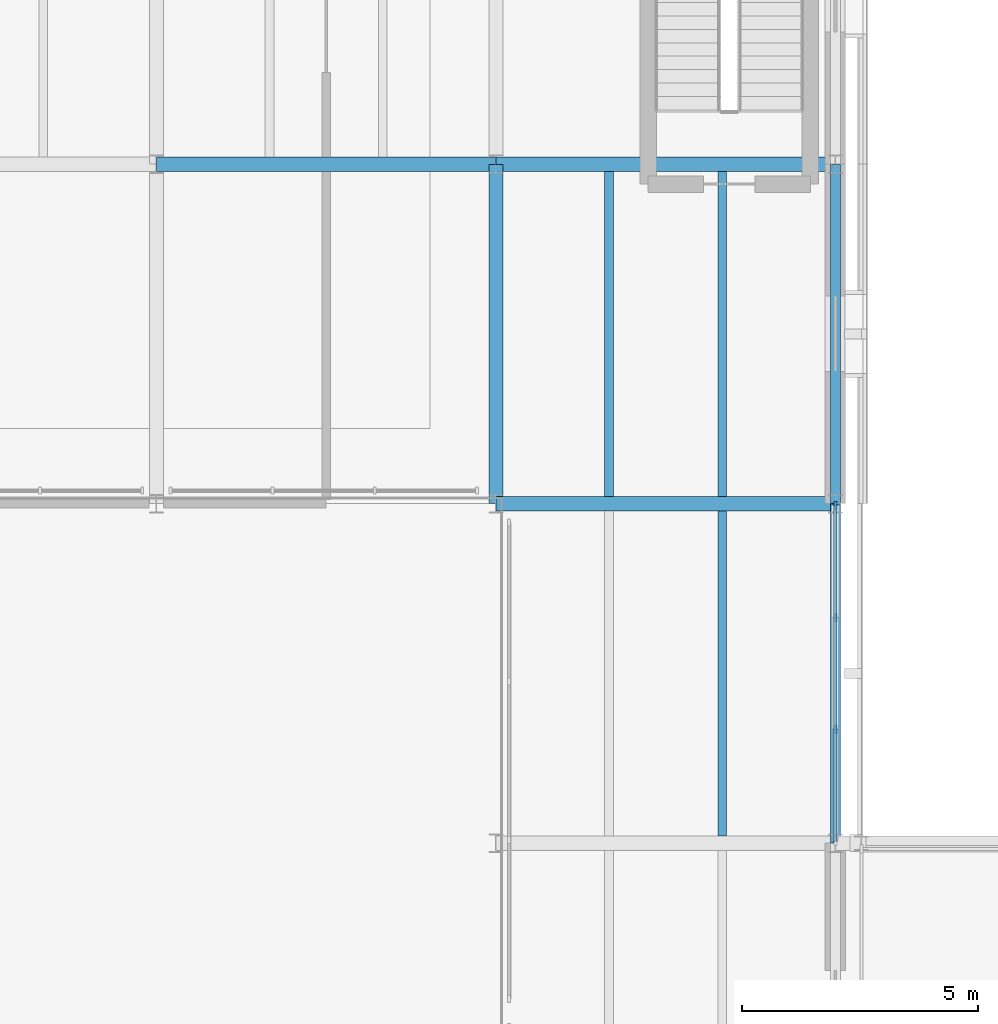
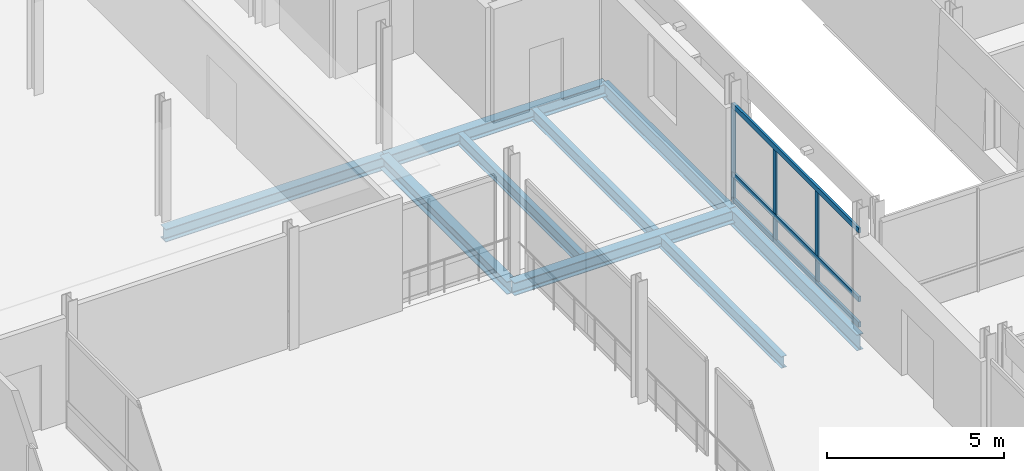
# One storey, part 26 of 115: 9 beams, 6 members, 1 element without a shape of its own.
"""IFC4 building model written with IfcOpenShell, lengths in metres."""

from ifc_helpers import new_model, si_unit, direction, frame, origin, origin_2d, place, context, subcontext, project, spatial, rectangle, i_section, extrude, material, layer, layer_set, material_profile, profile_set, type_object, element, aggregate, save


model = new_model("IFC4")

# Units and contexts
model_context = context("Model", 3, precision=1e-05, world=origin(), true_north=direction((0.0, 1.0)))
body_context = subcontext(model_context, "Body", "Model", "MODEL_VIEW")
ifc_project = project(units=[si_unit("LENGTHUNIT", "METRE"), si_unit("AREAUNIT", "SQUARE_METRE"), si_unit("VOLUMEUNIT", "CUBIC_METRE"), si_unit("PLANEANGLEUNIT", "RADIAN"), si_unit("MASSUNIT", "GRAM", prefix="KILO")], contexts=[model_context])

# Site, building, storey
site_placement = place(None, origin())
site = spatial("IfcSite", under=ifc_project, at=site_placement, CompositionType="ELEMENT")
building_placement = place(site_placement, origin())
building = spatial("IfcBuilding", under=site, at=building_placement, Name="Narikvali Park Central Library", CompositionType="ELEMENT")
storey_placement = place(building_placement, frame((0.0, 0.0, 10.199951171875)))
storey = spatial("IfcBuildingStorey", under=building, at=storey_placement, Name="L02", CompositionType="ELEMENT", Elevation=10.199951171875)

# Curtain wall, members
ifc_material_1 = material(Name="Anodised Bronze Aluminium", Category="aluminium")
ifc_layer = layer(ifc_material_1, 0.219970703125, Name="Anodised Bronze Aluminium")
ifc_layer_set = layer_set([ifc_layer], Name="Anodised Bronze Aluminium")
curtain_wall_type = type_object("IfcCurtainWallType", Name="Atrium Tall Curtain Wall System", PredefinedType="NOTDEFINED", material=ifc_layer_set)
curtain_wall_placement = place(storey_placement, origin())
curtain_wall = element("IfcCurtainWall", 1, at=curtain_wall_placement, inside=storey, type_object=curtain_wall_type, Name="Atrium Tall Curtain Wall System CW-V4-L02-E-05", PredefinedType="NOTDEFINED")
ifc_material_profile_1 = material_profile(ifc_material_1, rectangle(XDim=0.074951171875, YDim=0.179931640625, at=origin_2d()), Name="CW TRANSOM 75x180")
ifc_profile_set_1 = profile_set([ifc_material_profile_1], Name="Anodised Bronze Aluminium")
member_type_1 = type_object("IfcMemberType", Name="Curtain Wall Heavy Transom 75x180", PredefinedType="USERDEFINED", material=ifc_profile_set_1)
member_1_placement = place(storey_placement, frame((57.60009765625, 79.238037109375, 0.030029296875), z_axis=(0.0, 1.0, 0.0), x_axis=(-1.0, 0.0, 0.0)))
member_1 = element("IfcMember", 2, at=member_1_placement, type_object=member_type_1, Name="CW-V4-L02-E-05 Transom 00", ObjectType="TRANSOM", PredefinedType="USERDEFINED", context=body_context, shape_type="SweptSolid", body=[
    extrude(rectangle(XDim=0.074951171875, YDim=0.179931640625, at=origin_2d()), origin(), (0.0, 0.0, 1.0), 7.1240234375),
])
member_2_placement = place(storey_placement, frame((57.60009765625, 79.238037109375, 0.900146484375), z_axis=(0.0, 1.0, 0.0), x_axis=(-1.0, 0.0, 0.0)))
member_2 = element("IfcMember", 3, at=member_2_placement, type_object=member_type_1, Name="CW-V4-L02-E-05 Transom 01", ObjectType="TRANSOM", PredefinedType="USERDEFINED", context=body_context, shape_type="SweptSolid", body=[
    extrude(rectangle(XDim=0.074951171875, YDim=0.179931640625, at=origin_2d()), origin(), (0.0, 0.0, 1.0), 7.1240234375),
])
member_3_placement = place(storey_placement, frame((57.60009765625, 79.238037109375, 3.27001953125), z_axis=(0.0, 1.0, 0.0), x_axis=(-1.0, 0.0, 0.0)))
member_3 = element("IfcMember", 4, at=member_3_placement, type_object=member_type_1, Name="CW-V4-L02-E-05 Transom 02", ObjectType="TRANSOM", PredefinedType="USERDEFINED", context=body_context, shape_type="SweptSolid", body=[
    extrude(rectangle(XDim=0.074951171875, YDim=0.179931640625, at=origin_2d()), origin(), (0.0, 0.0, 1.0), 7.1240234375),
])
ifc_material_profile_2 = material_profile(ifc_material_1, rectangle(XDim=0.06494140625, YDim=0.179931640625, at=origin_2d()), Name="CW MULLION 65x180")
ifc_profile_set_2 = profile_set([ifc_material_profile_2], Name="Anodised Bronze Aluminium")
member_type_2 = type_object("IfcMemberType", Name="Curtain Wall Mullion 65x180", PredefinedType="MULLION", material=ifc_profile_set_2)
member_4_placement = place(storey_placement, frame((57.60009765625, 81.61279296875, -0.010009765625), z_axis=(0.0, 0.0, 1.0), x_axis=(1.0, 0.0, 0.0)))
member_4 = element("IfcMember", 5, at=member_4_placement, type_object=member_type_2, Name="CW-V4-L02-E-05 Mullion 01", PredefinedType="MULLION", context=body_context, shape_type="SweptSolid", body=[
    extrude(rectangle(XDim=0.06494140625, YDim=0.179931640625, at=origin_2d()), origin(), (0.0, 0.0, 1.0), 3.31005859375),
])
member_5_placement = place(storey_placement, frame((57.60009765625, 83.9873046875, -0.010009765625), z_axis=(0.0, 0.0, 1.0), x_axis=(1.0, 0.0, 0.0)))
member_5 = element("IfcMember", 6, at=member_5_placement, type_object=member_type_2, Name="CW-V4-L02-E-05 Mullion 02", PredefinedType="MULLION", context=body_context, shape_type="SweptSolid", body=[
    extrude(rectangle(XDim=0.06494140625, YDim=0.179931640625, at=origin_2d()), origin(), (0.0, 0.0, 1.0), 3.31005859375),
])
member_6_placement = place(storey_placement, frame((57.60009765625, 86.362060546875, -0.010009765625), z_axis=(0.0, 0.0, 1.0), x_axis=(1.0, 0.0, 0.0)))
member_6 = element("IfcMember", 7, at=member_6_placement, type_object=member_type_2, Name="CW-V4-L02-E-05 Mullion 03", PredefinedType="MULLION", context=body_context, shape_type="SweptSolid", body=[
    extrude(rectangle(XDim=0.06494140625, YDim=0.179931640625, at=origin_2d()), origin(), (0.0, 0.0, 1.0), 3.31005859375),
])
aggregate(curtain_wall, [member_4, member_5, member_6, member_1, member_2, member_3])

# Beams
ifc_material_2 = material(Name="Steel S355", Category="steel")
ifc_material_profile_3 = material_profile(ifc_material_2, i_section(OverallWidth=0.181884765625, OverallDepth=0.404052734375, WebThickness=0.009765625, FlangeThickness=0.015380859375, FilletRadius=0.02099609375, at=origin_2d()), Name="IPEO 400")
ifc_profile_set_3 = profile_set([ifc_material_profile_3], Name="Steel S355")
beam_type_1 = type_object("IfcBeamType", Name="Gallery Floor Joist IPEO400", PredefinedType="JOIST", material=ifc_profile_set_3)
for number, where, z_axis, x_axis, name in (
    (8, (55.199951171875, 79.35009765625, -0.48193359375), (0.0, 1.0, 0.0), (-1.0, 0.0, 0.0), "V4 L02 Composite Joist 2"),
    (9, (52.800048828125, 86.550048828125, -0.48193359375), (0.0, 1.0, 0.0), (-1.0, 0.0, 0.0), "V4 L02 Composite Joist 1"),
    (10, (55.199951171875, 86.550048828125, -0.48193359375), (0.0, 1.0, 0.0), (-1.0, 0.0, 0.0), "V4 L02 Composite Joist 2"),
):
    element("IfcBeam", number, at=place(storey_placement, frame(where, z_axis=z_axis, x_axis=x_axis)), inside=storey, type_object=beam_type_1, Name=name, PredefinedType="JOIST", context=body_context, shape_type="SweptSolid", body=[
        extrude(i_section(OverallWidth=0.181884765625, OverallDepth=0.404052734375, WebThickness=0.009765625, FlangeThickness=0.015380859375, FilletRadius=0.02099609375, at=origin_2d()), origin(), (0.0, 0.0, 1.0), 6.89990234375),
    ])
ifc_material_profile_4 = material_profile(ifc_material_2, i_section(OverallWidth=0.2099609375, OverallDepth=0.550048828125, WebThickness=0.010986328125, FlangeThickness=0.01708984375, FilletRadius=0.02392578125, at=origin_2d()), Name="IPE 550")
ifc_profile_set_4 = profile_set([ifc_material_profile_4], Name="Steel S355")
beam_type_2 = type_object("IfcBeamType", Name="Perimeter Spandrel IPE550", PredefinedType="SPANDREL", material=ifc_profile_set_4)
for number, where, z_axis, x_axis, name in (
    (11, (57.60009765625, 79.2080078125, -0.554931640625), (0.0, 1.0, 0.0), (-1.0, 0.0, 0.0), "V4 L02 Girder Y"),
    (12, (57.60009765625, 86.407958984375, -0.554931640625), (0.0, 1.0, 0.0), (-1.0, 0.0, 0.0), "V4 L02 Girder Y"),
):
    element("IfcBeam", number, at=place(storey_placement, frame(where, z_axis=z_axis, x_axis=x_axis)), inside=storey, type_object=beam_type_2, Name=name, PredefinedType="SPANDREL", context=body_context, shape_type="SweptSolid", body=[
        extrude(i_section(OverallWidth=0.2099609375, OverallDepth=0.550048828125, WebThickness=0.010986328125, FlangeThickness=0.01708984375, FilletRadius=0.02392578125, at=origin_2d()), origin(), (0.0, 0.0, 1.0), 7.18408203125),
    ])
ifc_material_profile_5 = material_profile(ifc_material_2, i_section(OverallWidth=0.300048828125, OverallDepth=0.43994140625, WebThickness=0.011474609375, FlangeThickness=0.02099609375, FilletRadius=0.027099609375, at=origin_2d()), Name="HEA 450")
ifc_profile_set_5 = profile_set([ifc_material_profile_5], Name="Steel S355")
beam_type_3 = type_object("IfcBeamType", Name="Primary Girder HEA450", PredefinedType="BEAM", material=ifc_profile_set_5)
for number, where, z_axis, x_axis, name in (
    (13, (50.407958984375, 86.39990234375, -0.5), (1.0, 0.0, 0.0), (0.0, 1.0, 0.0), "V4 L02 Girder X"),
    (14, (43.2080078125, 93.60009765625, -0.5), (1.0, 0.0, 0.0), (0.0, 1.0, 0.0), "V4 L02 Girder X"),
    (15, (50.407958984375, 93.60009765625, -0.5), (1.0, 0.0, 0.0), (0.0, 1.0, 0.0), "V4 L02 Girder X"),
    (16, (50.39990234375, 86.407958984375, -0.5), (0.0, 1.0, 0.0), (-1.0, 0.0, 0.0), "V4 L02 Girder Y"),
):
    element("IfcBeam", number, at=place(storey_placement, frame(where, z_axis=z_axis, x_axis=x_axis)), inside=storey, type_object=beam_type_3, Name=name, PredefinedType="BEAM", context=body_context, shape_type="SweptSolid", body=[
        extrude(i_section(OverallWidth=0.300048828125, OverallDepth=0.43994140625, WebThickness=0.011474609375, FlangeThickness=0.02099609375, FilletRadius=0.027099609375, at=origin_2d()), origin(), (0.0, 0.0, 1.0), 7.18408203125),
    ])

save(model, "model.ifc")
